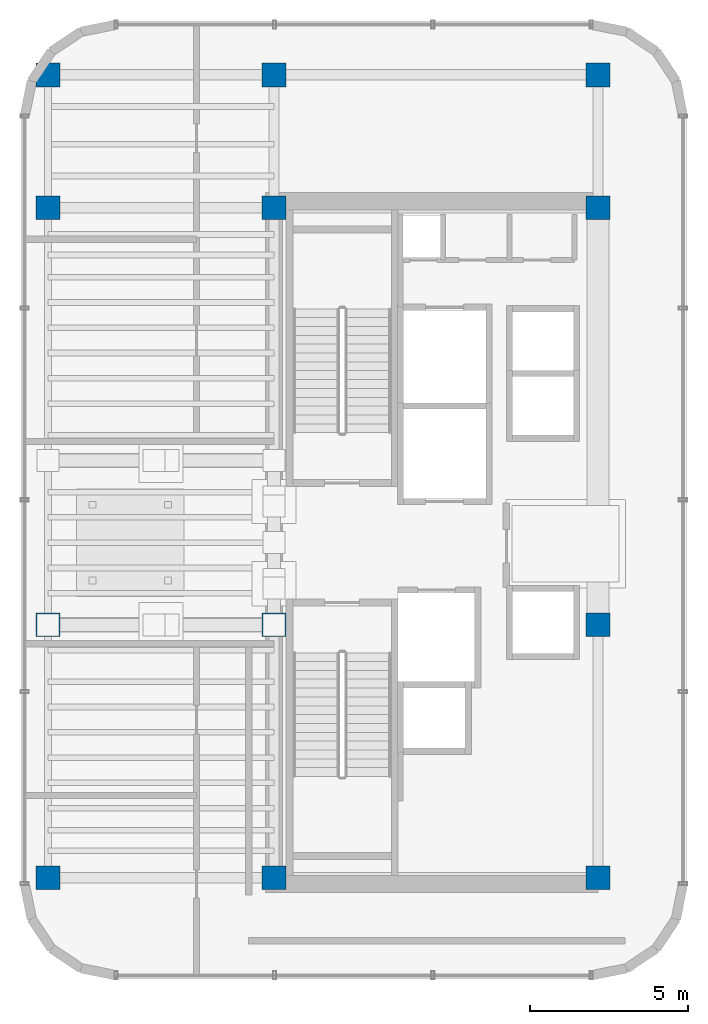
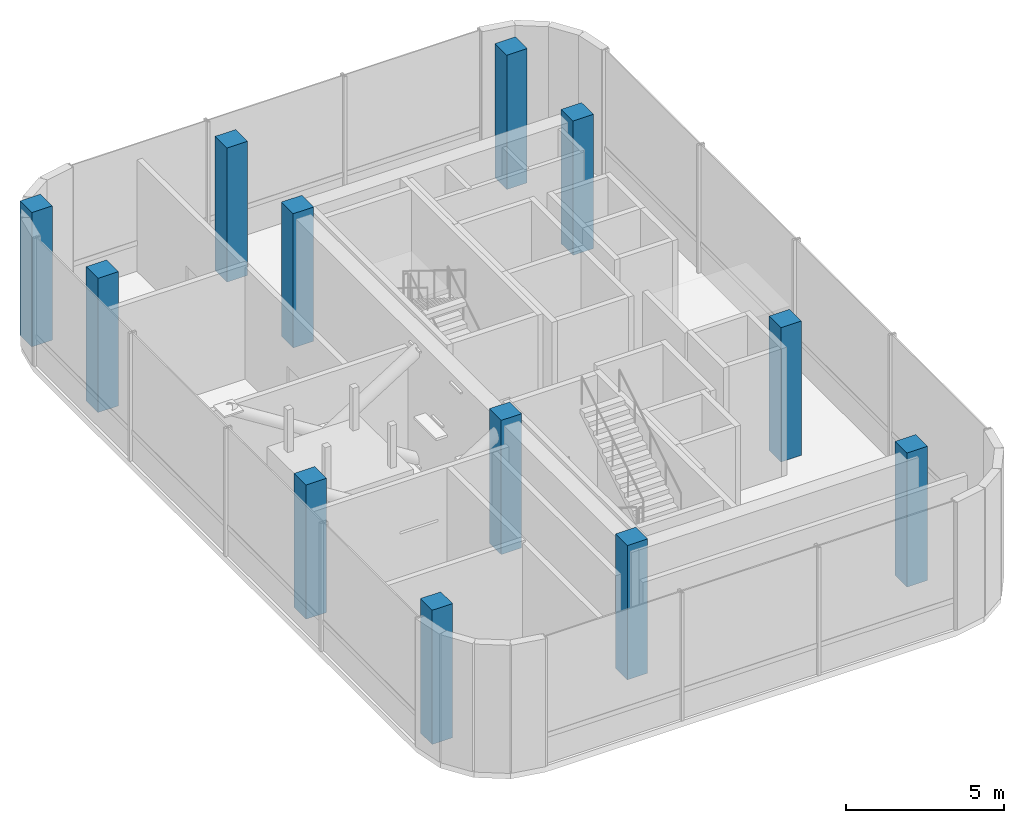
# One storey, part 1 of 13: 12 columns.
"""IFC4 building model written with IfcOpenShell, lengths in metres."""

from ifc_helpers import new_model, si_unit, direction, frame, origin, origin_2d, place, context, subcontext, project, spatial, rectangle, extrude, source, transform, mapped, material, material_profile, profile_set, type_object, element, save


model = new_model("IFC4")

# Units and contexts
model_context = context("Model", 3, precision=1e-05, world=origin(), true_north=direction((0.0, 1.0)))
body_context = subcontext(model_context, "Body", "Model", "MODEL_VIEW")
ifc_project = project(units=[si_unit("LENGTHUNIT", "METRE"), si_unit("AREAUNIT", "SQUARE_METRE"), si_unit("VOLUMEUNIT", "CUBIC_METRE"), si_unit("PLANEANGLEUNIT", "RADIAN"), si_unit("MASSUNIT", "GRAM", prefix="KILO")], contexts=[model_context])

# Site, building, storey
site_placement = place(None, origin())
site = spatial("IfcSite", under=ifc_project, at=site_placement, CompositionType="ELEMENT")
building_placement = place(site_placement, origin())
building = spatial("IfcBuilding", under=site, at=building_placement, Name="Valdorenza Pilgrim Sanctuary Tower", CompositionType="ELEMENT")
storey_placement = place(building_placement, frame((0.0, 0.0, 294.199951171875)))
storey = spatial("IfcBuildingStorey", under=building, at=storey_placement, Name="L77", CompositionType="ELEMENT", Elevation=294.199951171875)

# Columns
ifc_material = material(Name="Concrete C50/60", Category="concrete")
ifc_material_profile = material_profile(ifc_material, rectangle(XDim=0.75, YDim=0.75, at=origin_2d()), Name="RC 750x750")
ifc_profile_set = profile_set([ifc_material_profile], Name="Concrete C50/60")
column_type = type_object("IfcColumnType", Name="COL-CRW-750", PredefinedType="COLUMN", material=ifc_profile_set)
shared_shape = source(origin(), body_context, "Body", "SweptSolid", [
    extrude(rectangle(XDim=0.75, YDim=0.75, at=origin_2d()), origin(), (0.0, 0.0, 1.0), 5.199951171875),
])
for number, where, z_axis, x_axis, name in (
    (1, (-29.800048828125, -10.60009765625, 0.0), (0.0, 0.0, 1.0), (1.0, 0.0, 0.0), "L77 Perimeter Column WA-W-S1"),
    (2, (-22.64990234375, -10.60009765625, 0.0), (0.0, 0.0, 1.0), (1.0, 0.0, 0.0), "L77 Column CA-W-S1"),
    (3, (-12.39990234375, -10.60009765625, 0.0), (0.0, 0.0, 1.0), (1.0, 0.0, 0.0), "L77 Column CA-E-S1"),
    (4, (-29.800048828125, -2.60009765625, 0.0), (0.0, 0.0, 1.0), (1.0, 0.0, 0.0), "L77 Perimeter Column WA-W-M0"),
    (5, (-22.64990234375, -2.60009765625, 0.0), (0.0, 0.0, 1.0), (1.0, 0.0, 0.0), "L77 Column CA-W-M0"),
    (6, (-12.39990234375, -2.60009765625, 0.0), (0.0, 0.0, 1.0), (1.0, 0.0, 0.0), "L77 Column CA-E-M0"),
    (7, (-29.800048828125, 10.60009765625, 0.0), (0.0, 0.0, 1.0), (1.0, 0.0, 0.0), "L77 Perimeter Column WA-W-N1"),
    (8, (-22.64990234375, 10.60009765625, 0.0), (0.0, 0.0, 1.0), (1.0, 0.0, 0.0), "L77 Column CA-W-N1"),
    (9, (-12.39990234375, 10.60009765625, 0.0), (0.0, 0.0, 1.0), (1.0, 0.0, 0.0), "L77 Column CA-E-N1"),
    (10, (-29.800048828125, 14.800048828125, 0.0), (0.0, 0.0, 1.0), (1.0, 0.0, 0.0), "L77 Perimeter Column WA-W-N2"),
    (11, (-22.64990234375, 14.800048828125, 0.0), (0.0, 0.0, 1.0), (1.0, 0.0, 0.0), "L77 Column CA-W-N2"),
    (12, (-12.39990234375, 14.800048828125, 0.0), (0.0, 0.0, 1.0), (1.0, 0.0, 0.0), "L77 Column CA-E-N2"),
):
    element("IfcColumn", number, at=place(storey_placement, frame(where, z_axis=z_axis, x_axis=x_axis)), inside=storey, type_object=column_type, Name=name, PredefinedType="COLUMN", context=body_context, shape_type="MappedRepresentation", body=[
        mapped(shared_shape, transform((0.0, 0.0, 0.0), x_axis=(1.0, 0.0, 0.0), y_axis=(0.0, 1.0, 0.0), z_axis=(0.0, 0.0, 1.0), scale=1.0)),
    ])

save(model, "model.ifc")
